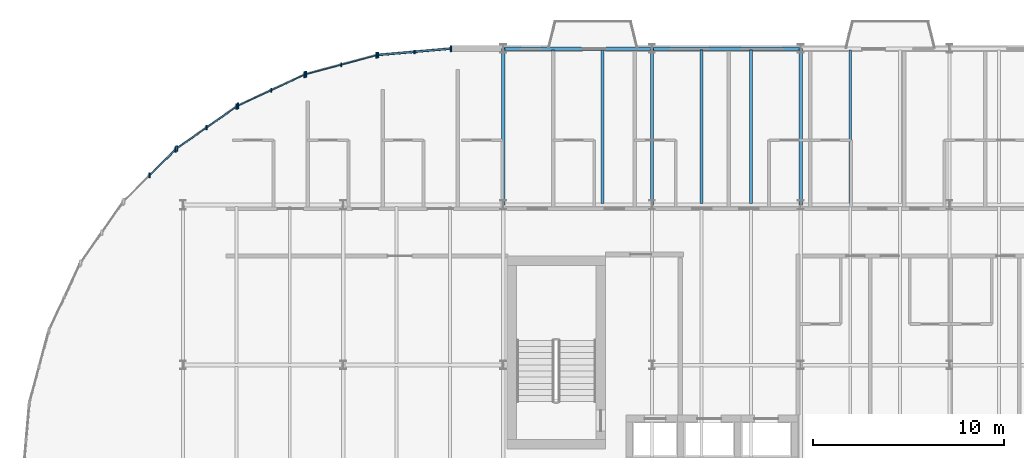
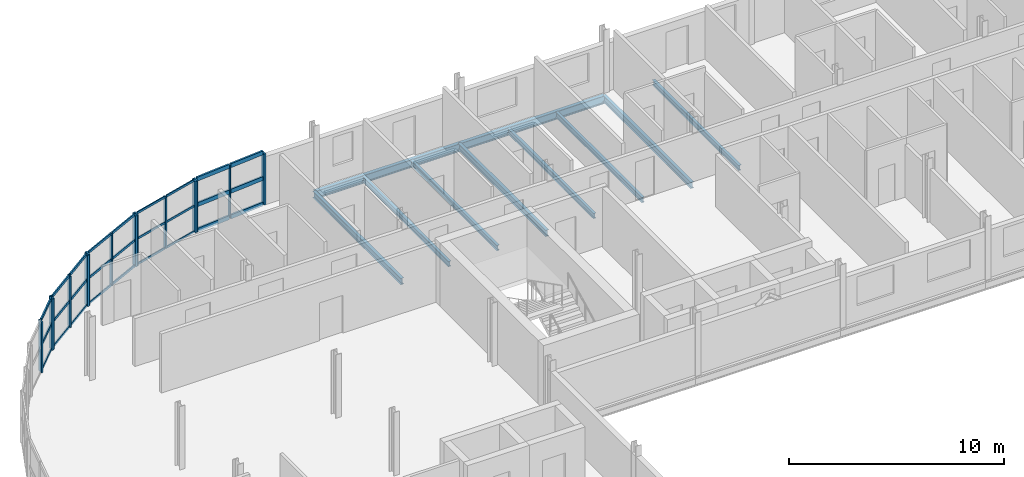
# One storey, part 10 of 34: 41 members, 10 beams, 5 elements without a shape of their own.
"""IFC4 building model written with IfcOpenShell, lengths in metres."""

import ifcopenshell
import ifcopenshell.guid

model = None  # the IFC model being written
_history = None  # IfcOwnerHistory: only IFC2X3 demands one
_inside = {}  # id of a spatial element -> (the spatial element, [elements in it])
_under = {}  # id of a project, library or spatial element -> (it, [spatial elements below it])
_declared = {}  # id of a project -> (the project, [libraries it declares])
_typed = {}  # id of a type object -> (the type object, [elements of that type])
_made_of = {}  # id of a material, layer set ... -> (it, [elements and type objects made of it])


def new_model(schema):
    """Start an empty IFC model of exactly this schema.

    Asked for "IFC4X3", IfcOpenShell would pick the latest addendum, in which some entities
    have other attributes; the version numbers below select the first issue.
    IFC2X3 requires an IfcOwnerHistory on every rooted entity: one is made here for all.
    """
    global model, _history
    if schema == "IFC4X3":
        model = ifcopenshell.file(schema_version=(4, 3, 0, 0))
    else:
        model = ifcopenshell.file(schema=schema)
    _inside.clear()
    _under.clear()
    _declared.clear()
    _typed.clear()
    _made_of.clear()
    _history = None
    if model.schema == "IFC2X3":
        org = make("IfcOrganization", Name="unknown")
        user = make(
            "IfcPersonAndOrganization",
            ThePerson=make("IfcPerson", FamilyName="unknown"),
            TheOrganization=org,
        )
        app = make(
            "IfcApplication",
            ApplicationDeveloper=org,
            Version="unknown",
            ApplicationFullName="unknown",
            ApplicationIdentifier="unknown",
        )
        _history = make(
            "IfcOwnerHistory",
            OwningUser=user,
            OwningApplication=app,
            ChangeAction="ADDED",
            CreationDate=0,
        )
    return model


def make(cls, **values):
    """One entity of the class cls with the attributes given. An attribute that is None is left unset."""
    return model.create_entity(
        cls, **{name: value for name, value in values.items() if value is not None}
    )


def rooted(cls, **values):
    """An entity with a GlobalId (a new one), such as an element, a storey or a relation."""
    return make(cls, GlobalId=ifcopenshell.guid.new(), OwnerHistory=_history, **values)


def si_unit(unit_type, name, prefix=None):
    """IfcSIUnit, for example si_unit("LENGTHUNIT", "METRE", prefix="MILLI")."""
    return make("IfcSIUnit", UnitType=unit_type, Prefix=prefix, Name=name)


def assignment(units):
    """IfcUnitAssignment: the units of a project."""
    return None if units is None else make("IfcUnitAssignment", Units=units)


def point(xyz):
    """IfcCartesianPoint."""
    return None if xyz is None else make("IfcCartesianPoint", Coordinates=xyz)


def direction(xyz):
    """IfcDirection."""
    return None if xyz is None else make("IfcDirection", DirectionRatios=xyz)


def frame(location, z_axis=None, x_axis=None):
    """IfcAxis2Placement3D, a coordinate frame: its origin and axes. An axis left out is left unset."""
    return make(
        "IfcAxis2Placement3D",
        Location=point(location),
        Axis=direction(z_axis),
        RefDirection=direction(x_axis),
    )


def frame_2d(location, x_axis=None):
    """IfcAxis2Placement2D, a coordinate frame in the plane: its origin and x axis."""
    return make(
        "IfcAxis2Placement2D", Location=point(location), RefDirection=direction(x_axis)
    )


def origin():
    """The frame at (0, 0, 0) with its axes left unset."""
    return frame((0.0, 0.0, 0.0))


def origin_2d():
    """The frame at (0, 0) in the plane with its x axis left unset."""
    return frame_2d((0.0, 0.0))


def place(relative_to, where):
    """IfcLocalPlacement: puts the frame where relative to a parent placement (None: the world)."""
    return make(
        "IfcLocalPlacement", PlacementRelTo=relative_to, RelativePlacement=where
    )


def context(
    kind, dimensions, precision=None, world=None, true_north=None, identifier=None
):
    """IfcGeometricRepresentationContext, for example the 3D "Model" context."""
    return make(
        "IfcGeometricRepresentationContext",
        ContextIdentifier=identifier,
        ContextType=kind,
        CoordinateSpaceDimension=dimensions,
        Precision=precision,
        WorldCoordinateSystem=world,
        TrueNorth=true_north,
    )


def subcontext(parent, identifier, kind, view, scale=None):
    """IfcGeometricRepresentationSubContext, for example "Body" below "Model"."""
    return make(
        "IfcGeometricRepresentationSubContext",
        ContextIdentifier=identifier,
        ContextType=kind,
        ParentContext=parent,
        TargetScale=scale,
        TargetView=view,
    )


def project(units=None, contexts=None):
    """IfcProject with its units and contexts."""
    return rooted(
        "IfcProject",
        Name="project",
        RepresentationContexts=contexts,
        UnitsInContext=assignment(units),
    )


def spatial(cls, under=None, at=None, **own):
    """A site, building, storey or space (cls), placed at a placement, below another one or the project."""
    s = rooted(cls, ObjectPlacement=at, **own)
    if under is not None:
        _under.setdefault(under.id(), (under, []))[1].append(s)
    return s


def profile(cls, at=None, kind="AREA", **sizes):
    """A parametric profile (cls). Its sizes go by their IFC names, for example OverallWidth=200.0."""
    return make(cls, ProfileType=kind, Position=at, **sizes)


def rectangle(**sizes):
    """IfcRectangleProfileDef."""
    return profile("IfcRectangleProfileDef", **sizes)


def i_section(**sizes):
    """IfcIShapeProfileDef."""
    return profile("IfcIShapeProfileDef", **sizes)


def extrude(swept, where, along, depth):
    """IfcExtrudedAreaSolid: the profile swept, set in the frame where, extruded along a direction by depth."""
    return make(
        "IfcExtrudedAreaSolid",
        SweptArea=swept,
        Position=where,
        ExtrudedDirection=direction(along),
        Depth=depth,
    )


def shape(context_of_items, identifier, shape_type, items):
    """IfcShapeRepresentation: the items that make up one representation, for example the "Body"."""
    return make(
        "IfcShapeRepresentation",
        ContextOfItems=context_of_items,
        RepresentationIdentifier=identifier,
        RepresentationType=shape_type,
        Items=items,
    )


def material(Name=None, Category=None):
    """IfcMaterial."""
    return make("IfcMaterial", Name=Name, Category=Category)


def layer(
    of_material, thickness, ventilated=None, Name=None, Category=None, Priority=None
):
    """IfcMaterialLayer: one layer of a wall or slab, of a material (None: an air gap)."""
    return make(
        "IfcMaterialLayer",
        Material=of_material,
        LayerThickness=thickness,
        IsVentilated=ventilated,
        Name=Name,
        Category=Category,
        Priority=Priority,
    )


def layer_set(layers, Name=None):
    """IfcMaterialLayerSet."""
    return make("IfcMaterialLayerSet", MaterialLayers=layers, LayerSetName=Name)


def material_profile(
    of_material, cross_section, Name=None, Category=None, Priority=None
):
    """IfcMaterialProfile: a cross section and its material."""
    return make(
        "IfcMaterialProfile",
        Name=Name,
        Material=of_material,
        Profile=cross_section,
        Priority=Priority,
        Category=Category,
    )


def profile_set(profiles, Name=None, composite=None):
    """IfcMaterialProfileSet."""
    return make(
        "IfcMaterialProfileSet",
        Name=Name,
        MaterialProfiles=profiles,
        CompositeProfile=composite,
    )


def made_of(thing, what):
    """Note that an element or type object is made of a material, layer set ...; save() writes the relation."""
    if what is not None:
        _made_of.setdefault(what.id(), (what, []))[1].append(thing)
    return thing


def type_object(cls, material=None, **own):
    """A type object (cls), such as IfcWallType, which elements share."""
    return made_of(rooted(cls, **own), material)


def element(
    cls,
    number,
    at=None,
    inside=None,
    cuts=None,
    type_object=None,
    material=None,
    context=None,
    identifier="Body",
    shape_type=None,
    held_by="IfcProductDefinitionShape",
    body=None,
    shapes=None,
    **own,
):
    """One element of the class cls, such as IfcWall. Its Tag is "e" and its number.

    at: its placement. inside: the storey or other place that contains it. cuts: it is an
    opening in that element (IfcRelVoidsElement). A single representation is given by context,
    identifier, shape_type and body (its items); several are given by shapes. held_by: the class
    of the entity that holds the representations. save() writes the other relations.
    """
    e = rooted(cls, Tag="e%d" % number, ObjectPlacement=at, **own)
    if body is not None:
        shapes = [shape(context, identifier, shape_type, body)]
    if shapes is not None:
        e.Representation = make(held_by, Representations=shapes)
    if inside is not None:
        _inside.setdefault(inside.id(), (inside, []))[1].append(e)
    if cuts is not None:
        rooted(
            "IfcRelVoidsElement", RelatingBuildingElement=cuts, RelatedOpeningElement=e
        )
    if type_object is not None:
        _typed.setdefault(type_object.id(), (type_object, []))[1].append(e)
    return made_of(e, material)


def aggregate(whole, parts):
    """IfcRelAggregates: a whole, such as a stair, and the parts it consists of."""
    return rooted("IfcRelAggregates", RelatingObject=whole, RelatedObjects=parts)


def save(model, path):
    """Write the relations noted so far, then the file.

    IfcRelAggregates (storeys below a building ...), IfcRelContainedInSpatialStructure (elements
    in a storey), IfcRelDefinesByType, IfcRelAssociatesMaterial and IfcRelDeclares: one each for
    every whole, place, type object, material and project.
    """
    for whole, parts in _under.values():
        aggregate(whole, parts)
    for where, things in _inside.values():
        rooted(
            "IfcRelContainedInSpatialStructure",
            RelatedElements=things,
            RelatingStructure=where,
        )
    for kind, things in _typed.values():
        rooted("IfcRelDefinesByType", RelatedObjects=things, RelatingType=kind)
    for what, things in _made_of.values():
        rooted("IfcRelAssociatesMaterial", RelatedObjects=things, RelatingMaterial=what)
    for by, libraries in _declared.values():
        rooted("IfcRelDeclares", RelatingContext=by, RelatedDefinitions=libraries)
    model.write(path)


model = new_model("IFC4")

# Units and contexts
model_context = context("Model", 3, precision=1e-05, world=origin(), true_north=direction((0.0, 1.0)))
body_context = subcontext(model_context, "Body", "Model", "MODEL_VIEW")
ifc_project = project(units=[si_unit("LENGTHUNIT", "METRE"), si_unit("AREAUNIT", "SQUARE_METRE"), si_unit("VOLUMEUNIT", "CUBIC_METRE"), si_unit("PLANEANGLEUNIT", "RADIAN"), si_unit("MASSUNIT", "GRAM", prefix="KILO")], contexts=[model_context])

# Site, building, storey
site_placement = place(None, origin())
site = spatial("IfcSite", under=ifc_project, at=site_placement, CompositionType="ELEMENT")
building_placement = place(site_placement, origin())
building = spatial("IfcBuilding", under=site, at=building_placement, Name="Sefraquen Railside Congress Hotel", CompositionType="ELEMENT")
storey_placement = place(building_placement, frame((0.0, 0.0, 31.800048828125)))
storey = spatial("IfcBuildingStorey", under=building, at=storey_placement, Name="L07", CompositionType="ELEMENT", Elevation=31.800048828125)

# Beams
ifc_material_1 = material(Name="Steel S355JR", Category="steel")
ifc_material_profile_1 = material_profile(ifc_material_1, i_section(OverallWidth=0.169921875, OverallDepth=0.360107421875, WebThickness=0.008056640625, FlangeThickness=0.0126953125, FilletRadius=0.01806640625, at=origin_2d()), Name="IPE 360")
ifc_profile_set_1 = profile_set([ifc_material_profile_1], Name="Steel S355JR")
beam_type_1 = type_object("IfcBeamType", Name="TB-BM-360", PredefinedType="BEAM", material=ifc_profile_set_1)
for number, where, z_axis, x_axis, name in (
    (1, (25.199951171875, 109.800048828125, -0.420166015625), (0.0, 1.0, 0.0), (-1.0, 0.0, 0.0), "Floor beam BM-L07-1791"),
    (2, (33.0, 109.800048828125, -0.420166015625), (0.0, 1.0, 0.0), (-1.0, 0.0, 0.0), "Floor beam BM-L07-1794"),
    (3, (40.800048828125, 109.800048828125, -0.420166015625), (0.0, 1.0, 0.0), (-1.0, 0.0, 0.0), "Floor beam BM-L07-1797"),
):
    element("IfcBeam", number, at=place(storey_placement, frame(where, z_axis=z_axis, x_axis=x_axis)), inside=storey, type_object=beam_type_1, Name=name, PredefinedType="BEAM", context=body_context, shape_type="SweptSolid", body=[
        extrude(i_section(OverallWidth=0.169921875, OverallDepth=0.360107421875, WebThickness=0.008056640625, FlangeThickness=0.0126953125, FilletRadius=0.01806640625, at=origin_2d()), origin(), (0.0, 0.0, 1.0), 8.199951171875),
    ])
ifc_material_profile_2 = material_profile(ifc_material_1, i_section(OverallWidth=0.18994140625, OverallDepth=0.449951171875, WebThickness=0.009521484375, FlangeThickness=0.0146484375, FilletRadius=0.02099609375, at=origin_2d()), Name="IPE 450")
ifc_profile_set_2 = profile_set([ifc_material_profile_2], Name="Steel S355JR")
beam_type_2 = type_object("IfcBeamType", Name="TB-BM-450", PredefinedType="BEAM", material=ifc_profile_set_2)
for number, where, z_axis, x_axis, name in (
    (4, (25.199951171875, 118.0, -0.465087890625), (1.0, 0.0, 0.0), (0.0, 1.0, 0.0), "Primary girder BM-L07-1758"),
    (5, (33.0, 118.0, -0.465087890625), (1.0, 0.0, 0.0), (0.0, 1.0, 0.0), "Primary girder BM-L07-1759"),
):
    element("IfcBeam", number, at=place(storey_placement, frame(where, z_axis=z_axis, x_axis=x_axis)), inside=storey, type_object=beam_type_2, Name=name, PredefinedType="BEAM", context=body_context, shape_type="SweptSolid", body=[
        extrude(i_section(OverallWidth=0.18994140625, OverallDepth=0.449951171875, WebThickness=0.009521484375, FlangeThickness=0.0146484375, FilletRadius=0.02099609375, at=origin_2d()), origin(), (0.0, 0.0, 1.0), 7.800048828125),
    ])
ifc_material_profile_3 = material_profile(ifc_material_1, i_section(OverallWidth=0.14990234375, OverallDepth=0.300048828125, WebThickness=0.007080078125, FlangeThickness=0.0107421875, FilletRadius=0.014892578125, at=origin_2d()), Name="IPE 300")
ifc_profile_set_3 = profile_set([ifc_material_profile_3], Name="Steel S355JR")
beam_type_3 = type_object("IfcBeamType", Name="TB-JST-300", PredefinedType="JOIST", material=ifc_profile_set_3)
for number, where, z_axis, x_axis, name in (
    (6, (27.800048828125, 109.875, -0.39013671875), (0.0, 1.0, 0.0), (-1.0, 0.0, 0.0), "Composite floor joist BM-L07-J1170"),
    (7, (30.39990234375, 109.875, -0.39013671875), (0.0, 1.0, 0.0), (-1.0, 0.0, 0.0), "Composite floor joist BM-L07-J1171"),
    (8, (35.60009765625, 109.875, -0.39013671875), (0.0, 1.0, 0.0), (-1.0, 0.0, 0.0), "Composite floor joist BM-L07-J1176"),
    (9, (38.199951171875, 109.875, -0.39013671875), (0.0, 1.0, 0.0), (-1.0, 0.0, 0.0), "Composite floor joist BM-L07-J1177"),
    (10, (43.39990234375, 109.875, -0.39013671875), (0.0, 1.0, 0.0), (-1.0, 0.0, 0.0), "Composite floor joist BM-L07-J1182"),
):
    element("IfcBeam", number, at=place(storey_placement, frame(where, z_axis=z_axis, x_axis=x_axis)), inside=storey, type_object=beam_type_3, Name=name, PredefinedType="JOIST", context=body_context, shape_type="SweptSolid", body=[
        extrude(i_section(OverallWidth=0.14990234375, OverallDepth=0.300048828125, WebThickness=0.007080078125, FlangeThickness=0.0107421875, FilletRadius=0.014892578125, at=origin_2d()), origin(), (0.0, 0.0, 1.0), 8.050048828125),
    ])

# Curtain wall, member
ifc_material_2 = material(Name="Thermally broken anodised aluminium and low-E double glazing", Category="aluminium")
ifc_layer_1 = layer(ifc_material_2, 0.199951171875)
ifc_layer_set_1 = layer_set([ifc_layer_1], Name="Thermally broken anodised aluminium and low-E double glazing")
curtain_wall_type_1 = type_object("IfcCurtainWallType", Name="TCW-UCW-32", PredefinedType="USERDEFINED", material=ifc_layer_set_1)
curtain_wall_1_placement = place(storey_placement, origin())
curtain_wall_1 = element("IfcCurtainWall", 11, at=curtain_wall_1_placement, inside=storey, type_object=curtain_wall_type_1, Name="Rotunda L07 curved curtain wall facet 1", ObjectType="UNITISED CURTAIN WALL", PredefinedType="USERDEFINED")
ifc_material_3 = material(Name="Thermally broken anodised aluminium 6063-T6", Category="aluminium")
ifc_material_profile_4 = material_profile(ifc_material_3, rectangle(XDim=0.06494140625, YDim=0.179931640625, at=origin_2d()), Name="CWM 65x180")
ifc_profile_set_4 = profile_set([ifc_material_profile_4], Name="Thermally broken anodised aluminium 6063-T6")
member_type_1 = type_object("IfcMemberType", Name="TM-CWM-02", PredefinedType="MULLION", material=ifc_profile_set_4)
member_1_placement = place(storey_placement, frame((20.54638671875, 117.8291015625, 0.0), z_axis=(0.0, 0.0, 1.0), x_axis=(1.0, 0.0, 0.0)))
member_1 = element("IfcMember", 12, at=member_1_placement, type_object=member_type_1, Name="CW-L07-ROT-01 mullion 2", PredefinedType="MULLION", context=body_context, shape_type="SweptSolid", body=[
    extrude(rectangle(XDim=0.06494140625, YDim=0.179931640625, at=origin_2d()), origin(), (0.0, 0.0, 1.0), 2.909912109375),
])

ifc_layer_2 = layer(ifc_material_2, 0.199951171875)
ifc_layer_set_2 = layer_set([ifc_layer_2], Name="Thermally broken anodised aluminium and low-E double glazing")
curtain_wall_type_2 = type_object("IfcCurtainWallType", Name="TCW-UCW-01", PredefinedType="USERDEFINED", material=ifc_layer_set_2)
curtain_wall_2_placement = place(storey_placement, origin())
curtain_wall_2 = element("IfcCurtainWall", 13, at=curtain_wall_2_placement, inside=storey, type_object=curtain_wall_type_2, Name="Rotunda L07 curved curtain wall facet 2", ObjectType="UNITISED CURTAIN WALL", PredefinedType="USERDEFINED")
ifc_material_profile_5 = material_profile(ifc_material_3, rectangle(XDim=0.070068359375, YDim=0.199951171875, at=origin_2d()), Name="CWM 70x200")
ifc_profile_set_5 = profile_set([ifc_material_profile_5], Name="Thermally broken anodised aluminium 6063-T6")
member_type_2 = type_object("IfcMemberType", Name="TM-CWM-03", PredefinedType="MULLION", material=ifc_profile_set_5)
member_2_placement = place(storey_placement, frame((16.69873046875, 117.150634765625, 0.0), z_axis=(0.0, 0.0, 1.0), x_axis=(1.0, 0.0, 0.0)))
member_2 = element("IfcMember", 14, at=member_2_placement, type_object=member_type_2, Name="CW-L07-ROT-02 mullion 2", PredefinedType="MULLION", context=body_context, shape_type="SweptSolid", body=[
    extrude(rectangle(XDim=0.070068359375, YDim=0.199951171875, at=origin_2d()), origin(), (0.0, 0.0, 1.0), 2.909912109375),
])

ifc_layer_3 = layer(ifc_material_2, 0.199951171875)
ifc_layer_set_3 = layer_set([ifc_layer_3], Name="Thermally broken anodised aluminium and low-E double glazing")
curtain_wall_type_3 = type_object("IfcCurtainWallType", Name="TCW-UCW-02", PredefinedType="USERDEFINED", material=ifc_layer_set_3)
curtain_wall_3_placement = place(storey_placement, origin())
curtain_wall_3 = element("IfcCurtainWall", 15, at=curtain_wall_3_placement, inside=storey, type_object=curtain_wall_type_3, Name="Rotunda L07 curved curtain wall facet 3", ObjectType="UNITISED CURTAIN WALL", PredefinedType="USERDEFINED")
ifc_material_profile_6 = material_profile(ifc_material_3, rectangle(XDim=0.074951171875, YDim=0.219970703125, at=origin_2d()), Name="CWM 75x220")
ifc_profile_set_6 = profile_set([ifc_material_profile_6], Name="Thermally broken anodised aluminium 6063-T6")
member_type_3 = type_object("IfcMemberType", Name="TM-CWM-04", PredefinedType="MULLION", material=ifc_profile_set_6)
member_3_placement = place(storey_placement, frame((13.02734375, 115.814208984375, 0.0), z_axis=(0.0, 0.0, 1.0), x_axis=(1.0, 0.0, 0.0)))
member_3 = element("IfcMember", 16, at=member_3_placement, type_object=member_type_3, Name="CW-L07-ROT-03 mullion 2", PredefinedType="MULLION", context=body_context, shape_type="SweptSolid", body=[
    extrude(rectangle(XDim=0.074951171875, YDim=0.219970703125, at=origin_2d()), origin(), (0.0, 0.0, 1.0), 2.909912109375),
])

ifc_layer_4 = layer(ifc_material_2, 0.199951171875)
ifc_layer_set_4 = layer_set([ifc_layer_4], Name="Thermally broken anodised aluminium and low-E double glazing")
curtain_wall_type_4 = type_object("IfcCurtainWallType", Name="TCW-UCW-03", PredefinedType="USERDEFINED", material=ifc_layer_set_4)
curtain_wall_4_placement = place(storey_placement, origin())
curtain_wall_4 = element("IfcCurtainWall", 17, at=curtain_wall_4_placement, inside=storey, type_object=curtain_wall_type_4, Name="Rotunda L07 curved curtain wall facet 4", ObjectType="UNITISED CURTAIN WALL", PredefinedType="USERDEFINED")
ifc_material_profile_7 = material_profile(ifc_material_3, rectangle(XDim=0.080078125, YDim=0.239990234375, at=origin_2d()), Name="CWM 80x240")
ifc_profile_set_7 = profile_set([ifc_material_profile_7], Name="Thermally broken anodised aluminium 6063-T6")
member_type_4 = type_object("IfcMemberType", Name="TM-CWM-05", PredefinedType="MULLION", material=ifc_profile_set_7)
member_4_placement = place(storey_placement, frame((9.643798828125, 113.86083984375, 0.0), z_axis=(0.0, 0.0, 1.0), x_axis=(1.0, 0.0, 0.0)))
member_4 = element("IfcMember", 18, at=member_4_placement, type_object=member_type_4, Name="CW-L07-ROT-04 mullion 2", PredefinedType="MULLION", context=body_context, shape_type="SweptSolid", body=[
    extrude(rectangle(XDim=0.080078125, YDim=0.239990234375, at=origin_2d()), origin(), (0.0, 0.0, 1.0), 2.909912109375),
])

ifc_layer_5 = layer(ifc_material_2, 0.199951171875)
ifc_layer_set_5 = layer_set([ifc_layer_5], Name="Thermally broken anodised aluminium and low-E double glazing")
curtain_wall_type_5 = type_object("IfcCurtainWallType", Name="TCW-UCW-04", PredefinedType="USERDEFINED", material=ifc_layer_set_5)
curtain_wall_5_placement = place(storey_placement, origin())
curtain_wall_5 = element("IfcCurtainWall", 19, at=curtain_wall_5_placement, inside=storey, type_object=curtain_wall_type_5, Name="Rotunda L07 curved curtain wall facet 5", ObjectType="UNITISED CURTAIN WALL", PredefinedType="USERDEFINED")
ifc_material_profile_8 = material_profile(ifc_material_3, rectangle(XDim=0.0849609375, YDim=0.260009765625, at=origin_2d()), Name="CWM 85x260")
ifc_profile_set_8 = profile_set([ifc_material_profile_8], Name="Thermally broken anodised aluminium 6063-T6")
member_type_5 = type_object("IfcMemberType", Name="TM-CWM-06", PredefinedType="MULLION", material=ifc_profile_set_8)
member_5_placement = place(storey_placement, frame((6.650634765625, 111.349365234375, 0.0), z_axis=(0.0, 0.0, 1.0), x_axis=(1.0, 0.0, 0.0)))
member_5 = element("IfcMember", 20, at=member_5_placement, type_object=member_type_5, Name="CW-L07-ROT-05 mullion 2", PredefinedType="MULLION", context=body_context, shape_type="SweptSolid", body=[
    extrude(rectangle(XDim=0.0849609375, YDim=0.260009765625, at=origin_2d()), origin(), (0.0, 0.0, 1.0), 2.909912109375),
])

# Member
ifc_material_profile_9 = material_profile(ifc_material_3, rectangle(XDim=0.094970703125, YDim=0.300048828125, at=origin_2d()), Name="CWM 95x300")
ifc_profile_set_9 = profile_set([ifc_material_profile_9], Name="Thermally broken anodised aluminium 6063-T6")
member_type_6 = type_object("IfcMemberType", Name="TM-CWM-08", PredefinedType="MULLION", material=ifc_profile_set_9)
member_6_placement = place(storey_placement, frame((22.460205078125, 117.99658203125, 0.0), z_axis=(0.0, 0.0, 1.0), x_axis=(1.0, 0.0, 0.0)))
member_6 = element("IfcMember", 21, at=member_6_placement, type_object=member_type_6, Name="CW-L07-ROT-01 mullion 1", PredefinedType="MULLION", context=body_context, shape_type="SweptSolid", body=[
    extrude(rectangle(XDim=0.094970703125, YDim=0.300048828125, at=origin_2d()), origin(), (0.0, 0.0, 1.0), 2.909912109375),
])

member_7_placement = place(storey_placement, frame((18.6328125, 117.66162109375, 0.0), z_axis=(0.0, 0.0, 1.0), x_axis=(1.0, 0.0, 0.0)))
member_7 = element("IfcMember", 22, at=member_7_placement, type_object=member_type_6, Name="CW-L07-ROT-01 mullion 3", PredefinedType="MULLION", context=body_context, shape_type="SweptSolid", body=[
    extrude(rectangle(XDim=0.094970703125, YDim=0.300048828125, at=origin_2d()), origin(), (0.0, 0.0, 1.0), 2.909912109375),
])

member_8_placement = place(storey_placement, frame((18.55419921875, 117.647705078125, 0.0), z_axis=(0.0, 0.0, 1.0), x_axis=(1.0, 0.0, 0.0)))
member_8 = element("IfcMember", 23, at=member_8_placement, type_object=member_type_6, Name="CW-L07-ROT-02 mullion 1", PredefinedType="MULLION", context=body_context, shape_type="SweptSolid", body=[
    extrude(rectangle(XDim=0.094970703125, YDim=0.300048828125, at=origin_2d()), origin(), (0.0, 0.0, 1.0), 2.909912109375),
])

member_9_placement = place(storey_placement, frame((14.843017578125, 116.653564453125, 0.0), z_axis=(0.0, 0.0, 1.0), x_axis=(1.0, 0.0, 0.0)))
member_9 = element("IfcMember", 24, at=member_9_placement, type_object=member_type_6, Name="CW-L07-ROT-02 mullion 3", PredefinedType="MULLION", context=body_context, shape_type="SweptSolid", body=[
    extrude(rectangle(XDim=0.094970703125, YDim=0.300048828125, at=origin_2d()), origin(), (0.0, 0.0, 1.0), 2.909912109375),
])

member_10_placement = place(storey_placement, frame((14.768310546875, 116.626220703125, 0.0), z_axis=(0.0, 0.0, 1.0), x_axis=(1.0, 0.0, 0.0)))
member_10 = element("IfcMember", 25, at=member_10_placement, type_object=member_type_6, Name="CW-L07-ROT-03 mullion 1", PredefinedType="MULLION", context=body_context, shape_type="SweptSolid", body=[
    extrude(rectangle(XDim=0.094970703125, YDim=0.300048828125, at=origin_2d()), origin(), (0.0, 0.0, 1.0), 2.909912109375),
])

member_11_placement = place(storey_placement, frame((11.286376953125, 115.00244140625, 0.0), z_axis=(0.0, 0.0, 1.0), x_axis=(1.0, 0.0, 0.0)))
member_11 = element("IfcMember", 26, at=member_11_placement, type_object=member_type_6, Name="CW-L07-ROT-03 mullion 3", PredefinedType="MULLION", context=body_context, shape_type="SweptSolid", body=[
    extrude(rectangle(XDim=0.094970703125, YDim=0.300048828125, at=origin_2d()), origin(), (0.0, 0.0, 1.0), 2.909912109375),
])

member_12_placement = place(storey_placement, frame((11.21728515625, 114.962646484375, 0.0), z_axis=(0.0, 0.0, 1.0), x_axis=(1.0, 0.0, 0.0)))
member_12 = element("IfcMember", 27, at=member_12_placement, type_object=member_type_6, Name="CW-L07-ROT-04 mullion 1", PredefinedType="MULLION", context=body_context, shape_type="SweptSolid", body=[
    extrude(rectangle(XDim=0.094970703125, YDim=0.300048828125, at=origin_2d()), origin(), (0.0, 0.0, 1.0), 2.909912109375),
])

member_13_placement = place(storey_placement, frame((8.070068359375, 112.7587890625, 0.0), z_axis=(0.0, 0.0, 1.0), x_axis=(1.0, 0.0, 0.0)))
member_13 = element("IfcMember", 28, at=member_13_placement, type_object=member_type_6, Name="CW-L07-ROT-04 mullion 3", PredefinedType="MULLION", context=body_context, shape_type="SweptSolid", body=[
    extrude(rectangle(XDim=0.094970703125, YDim=0.300048828125, at=origin_2d()), origin(), (0.0, 0.0, 1.0), 2.909912109375),
])

member_14_placement = place(storey_placement, frame((8.009033203125, 112.707763671875, 0.0), z_axis=(0.0, 0.0, 1.0), x_axis=(1.0, 0.0, 0.0)))
member_14 = element("IfcMember", 29, at=member_14_placement, type_object=member_type_6, Name="CW-L07-ROT-05 mullion 1", PredefinedType="MULLION", context=body_context, shape_type="SweptSolid", body=[
    extrude(rectangle(XDim=0.094970703125, YDim=0.300048828125, at=origin_2d()), origin(), (0.0, 0.0, 1.0), 2.909912109375),
])

ifc_material_profile_10 = material_profile(ifc_material_3, rectangle(XDim=0.06005859375, YDim=0.1201171875, at=origin_2d()), Name="CWT 60x120")
ifc_profile_set_10 = profile_set([ifc_material_profile_10], Name="Thermally broken anodised aluminium 6063-T6")
member_type_7 = type_object("IfcMemberType", Name="TM-CWT-01", PredefinedType="USERDEFINED", material=ifc_profile_set_10)
member_15_placement = place(storey_placement, frame((18.5107421875, 117.63623046875, 0.0), z_axis=(-0.965893282759, -0.25894046868, 0.0), x_axis=(0.25894046868, -0.965893282759, 0.0)))
member_15 = element("IfcMember", 30, at=member_15_placement, type_object=member_type_7, Name="CW-L07-ROT-02 transom 1.1", ObjectType="TRANSOM", PredefinedType="USERDEFINED", context=body_context, shape_type="SweptSolid", body=[
    extrude(rectangle(XDim=0.06005859375, YDim=0.1201171875, at=origin_2d()), origin(), (0.0, 0.0, 1.0), 1.8310546875),
])

member_16_placement = place(storey_placement, frame((16.6552734375, 117.138916015625, 0.0), z_axis=(-0.965926624666, -0.258816065499, 0.0), x_axis=(0.258816065499, -0.965926624666, 0.0)))
member_16 = element("IfcMember", 31, at=member_16_placement, type_object=member_type_7, Name="CW-L07-ROT-02 transom 1.2", ObjectType="TRANSOM", PredefinedType="USERDEFINED", context=body_context, shape_type="SweptSolid", body=[
    extrude(rectangle(XDim=0.06005859375, YDim=0.1201171875, at=origin_2d()), origin(), (0.0, 0.0, 1.0), 1.8310546875),
])

member_17_placement = place(storey_placement, frame((18.5107421875, 117.63623046875, 1.454833984375), z_axis=(-0.965893282759, -0.25894046868, 0.0), x_axis=(0.25894046868, -0.965893282759, 0.0)))
member_17 = element("IfcMember", 32, at=member_17_placement, type_object=member_type_7, Name="CW-L07-ROT-02 transom 2.1", ObjectType="TRANSOM", PredefinedType="USERDEFINED", context=body_context, shape_type="SweptSolid", body=[
    extrude(rectangle(XDim=0.06005859375, YDim=0.1201171875, at=origin_2d()), origin(), (0.0, 0.0, 1.0), 1.8310546875),
])

member_18_placement = place(storey_placement, frame((16.6552734375, 117.138916015625, 1.454833984375), z_axis=(-0.965926624666, -0.258816065499, 0.0), x_axis=(0.258816065499, -0.965926624666, 0.0)))
member_18 = element("IfcMember", 33, at=member_18_placement, type_object=member_type_7, Name="CW-L07-ROT-02 transom 2.2", ObjectType="TRANSOM", PredefinedType="USERDEFINED", context=body_context, shape_type="SweptSolid", body=[
    extrude(rectangle(XDim=0.06005859375, YDim=0.1201171875, at=origin_2d()), origin(), (0.0, 0.0, 1.0), 1.8310546875),
])

member_19_placement = place(storey_placement, frame((18.5107421875, 117.63623046875, 2.909912109375), z_axis=(-0.965893282759, -0.25894046868, 0.0), x_axis=(0.25894046868, -0.965893282759, 0.0)))
member_19 = element("IfcMember", 34, at=member_19_placement, type_object=member_type_7, Name="CW-L07-ROT-02 transom 3.1", ObjectType="TRANSOM", PredefinedType="USERDEFINED", context=body_context, shape_type="SweptSolid", body=[
    extrude(rectangle(XDim=0.06005859375, YDim=0.1201171875, at=origin_2d()), origin(), (0.0, 0.0, 1.0), 1.8310546875),
])

member_20_placement = place(storey_placement, frame((16.6552734375, 117.138916015625, 2.909912109375), z_axis=(-0.965926624666, -0.258816065499, 0.0), x_axis=(0.258816065499, -0.965926624666, 0.0)))
member_20 = element("IfcMember", 35, at=member_20_placement, type_object=member_type_7, Name="CW-L07-ROT-02 transom 3.2", ObjectType="TRANSOM", PredefinedType="USERDEFINED", context=body_context, shape_type="SweptSolid", body=[
    extrude(rectangle(XDim=0.06005859375, YDim=0.1201171875, at=origin_2d()), origin(), (0.0, 0.0, 1.0), 1.8310546875),
])

aggregate(curtain_wall_2, [member_8, member_2, member_9, member_15, member_16, member_17, member_18, member_19, member_20])

ifc_material_profile_11 = material_profile(ifc_material_3, rectangle(XDim=0.06494140625, YDim=0.135009765625, at=origin_2d()), Name="CWT 65x135")
ifc_profile_set_11 = profile_set([ifc_material_profile_11], Name="Thermally broken anodised aluminium 6063-T6")
member_type_8 = type_object("IfcMemberType", Name="TM-CWT-02", PredefinedType="USERDEFINED", material=ifc_profile_set_11)
member_21_placement = place(storey_placement, frame((14.727294921875, 116.607177734375, 0.0), z_axis=(-0.906309158253, -0.422615321145, 0.0), x_axis=(0.422615321145, -0.906309158253, 0.0)))
member_21 = element("IfcMember", 36, at=member_21_placement, type_object=member_type_8, Name="CW-L07-ROT-03 transom 1.1", ObjectType="TRANSOM", PredefinedType="USERDEFINED", context=body_context, shape_type="SweptSolid", body=[
    extrude(rectangle(XDim=0.06494140625, YDim=0.135009765625, at=origin_2d()), origin(), (0.0, 0.0, 1.0), 1.830810546875),
])

member_22_placement = place(storey_placement, frame((12.986572265625, 115.79541015625, 0.0), z_axis=(-0.906281900386, -0.422673771403, 0.0), x_axis=(0.422673771403, -0.906281900386, 0.0)))
member_22 = element("IfcMember", 37, at=member_22_placement, type_object=member_type_8, Name="CW-L07-ROT-03 transom 1.2", ObjectType="TRANSOM", PredefinedType="USERDEFINED", context=body_context, shape_type="SweptSolid", body=[
    extrude(rectangle(XDim=0.06494140625, YDim=0.135009765625, at=origin_2d()), origin(), (0.0, 0.0, 1.0), 1.8310546875),
])

member_23_placement = place(storey_placement, frame((14.727294921875, 116.607177734375, 1.454833984375), z_axis=(-0.906309158253, -0.422615321145, 0.0), x_axis=(0.422615321145, -0.906309158253, 0.0)))
member_23 = element("IfcMember", 38, at=member_23_placement, type_object=member_type_8, Name="CW-L07-ROT-03 transom 2.1", ObjectType="TRANSOM", PredefinedType="USERDEFINED", context=body_context, shape_type="SweptSolid", body=[
    extrude(rectangle(XDim=0.06494140625, YDim=0.135009765625, at=origin_2d()), origin(), (0.0, 0.0, 1.0), 1.830810546875),
])

member_24_placement = place(storey_placement, frame((12.986572265625, 115.79541015625, 1.454833984375), z_axis=(-0.906281900386, -0.422673771403, 0.0), x_axis=(0.422673771403, -0.906281900386, 0.0)))
member_24 = element("IfcMember", 39, at=member_24_placement, type_object=member_type_8, Name="CW-L07-ROT-03 transom 2.2", ObjectType="TRANSOM", PredefinedType="USERDEFINED", context=body_context, shape_type="SweptSolid", body=[
    extrude(rectangle(XDim=0.06494140625, YDim=0.135009765625, at=origin_2d()), origin(), (0.0, 0.0, 1.0), 1.8310546875),
])

member_25_placement = place(storey_placement, frame((14.727294921875, 116.607177734375, 2.909912109375), z_axis=(-0.906309158253, -0.422615321145, 0.0), x_axis=(0.422615321145, -0.906309158253, 0.0)))
member_25 = element("IfcMember", 40, at=member_25_placement, type_object=member_type_8, Name="CW-L07-ROT-03 transom 3.1", ObjectType="TRANSOM", PredefinedType="USERDEFINED", context=body_context, shape_type="SweptSolid", body=[
    extrude(rectangle(XDim=0.06494140625, YDim=0.135009765625, at=origin_2d()), origin(), (0.0, 0.0, 1.0), 1.830810546875),
])

member_26_placement = place(storey_placement, frame((12.986572265625, 115.79541015625, 2.909912109375), z_axis=(-0.906281900386, -0.422673771403, 0.0), x_axis=(0.422673771403, -0.906281900386, 0.0)))
member_26 = element("IfcMember", 41, at=member_26_placement, type_object=member_type_8, Name="CW-L07-ROT-03 transom 3.2", ObjectType="TRANSOM", PredefinedType="USERDEFINED", context=body_context, shape_type="SweptSolid", body=[
    extrude(rectangle(XDim=0.06494140625, YDim=0.135009765625, at=origin_2d()), origin(), (0.0, 0.0, 1.0), 1.8310546875),
])

aggregate(curtain_wall_3, [member_10, member_3, member_11, member_21, member_22, member_23, member_24, member_25, member_26])

ifc_material_profile_12 = material_profile(ifc_material_3, rectangle(XDim=0.070068359375, YDim=0.14990234375, at=origin_2d()), Name="CWT 70x150")
ifc_profile_set_12 = profile_set([ifc_material_profile_12], Name="Thermally broken anodised aluminium 6063-T6")
member_type_9 = type_object("IfcMemberType", Name="TM-CWT-03", PredefinedType="USERDEFINED", material=ifc_profile_set_12)
member_27_placement = place(storey_placement, frame((11.180419921875, 114.93701171875, 0.0), z_axis=(-0.819156749665, -0.573569716318, 0.0), x_axis=(0.573569716318, -0.819156749665, 0.0)))
member_27 = element("IfcMember", 42, at=member_27_placement, type_object=member_type_9, Name="CW-L07-ROT-04 transom 1.1", ObjectType="TRANSOM", PredefinedType="USERDEFINED", context=body_context, shape_type="SweptSolid", body=[
    extrude(rectangle(XDim=0.070068359375, YDim=0.14990234375, at=origin_2d()), origin(), (0.0, 0.0, 1.0), 1.8310546875),
])

member_28_placement = place(storey_placement, frame((9.606689453125, 113.8349609375, 0.0), z_axis=(-0.819175533227, -0.573542889209, 0.0), x_axis=(0.573542889209, -0.819175533227, 0.0)))
member_28 = element("IfcMember", 43, at=member_28_placement, type_object=member_type_9, Name="CW-L07-ROT-04 transom 1.2", ObjectType="TRANSOM", PredefinedType="USERDEFINED", context=body_context, shape_type="SweptSolid", body=[
    extrude(rectangle(XDim=0.070068359375, YDim=0.14990234375, at=origin_2d()), origin(), (0.0, 0.0, 1.0), 1.830810546875),
])

member_29_placement = place(storey_placement, frame((11.180419921875, 114.93701171875, 1.454833984375), z_axis=(-0.819156749665, -0.573569716318, 0.0), x_axis=(0.573569716318, -0.819156749665, 0.0)))
member_29 = element("IfcMember", 44, at=member_29_placement, type_object=member_type_9, Name="CW-L07-ROT-04 transom 2.1", ObjectType="TRANSOM", PredefinedType="USERDEFINED", context=body_context, shape_type="SweptSolid", body=[
    extrude(rectangle(XDim=0.070068359375, YDim=0.14990234375, at=origin_2d()), origin(), (0.0, 0.0, 1.0), 1.8310546875),
])

member_30_placement = place(storey_placement, frame((9.606689453125, 113.8349609375, 1.454833984375), z_axis=(-0.819175533227, -0.573542889209, 0.0), x_axis=(0.573542889209, -0.819175533227, 0.0)))
member_30 = element("IfcMember", 45, at=member_30_placement, type_object=member_type_9, Name="CW-L07-ROT-04 transom 2.2", ObjectType="TRANSOM", PredefinedType="USERDEFINED", context=body_context, shape_type="SweptSolid", body=[
    extrude(rectangle(XDim=0.070068359375, YDim=0.14990234375, at=origin_2d()), origin(), (0.0, 0.0, 1.0), 1.830810546875),
])

member_31_placement = place(storey_placement, frame((11.180419921875, 114.93701171875, 2.909912109375), z_axis=(-0.819156749665, -0.573569716318, 0.0), x_axis=(0.573569716318, -0.819156749665, 0.0)))
member_31 = element("IfcMember", 46, at=member_31_placement, type_object=member_type_9, Name="CW-L07-ROT-04 transom 3.1", ObjectType="TRANSOM", PredefinedType="USERDEFINED", context=body_context, shape_type="SweptSolid", body=[
    extrude(rectangle(XDim=0.070068359375, YDim=0.14990234375, at=origin_2d()), origin(), (0.0, 0.0, 1.0), 1.8310546875),
])

member_32_placement = place(storey_placement, frame((9.606689453125, 113.8349609375, 2.909912109375), z_axis=(-0.819175533227, -0.573542889209, 0.0), x_axis=(0.573542889209, -0.819175533227, 0.0)))
member_32 = element("IfcMember", 47, at=member_32_placement, type_object=member_type_9, Name="CW-L07-ROT-04 transom 3.2", ObjectType="TRANSOM", PredefinedType="USERDEFINED", context=body_context, shape_type="SweptSolid", body=[
    extrude(rectangle(XDim=0.070068359375, YDim=0.14990234375, at=origin_2d()), origin(), (0.0, 0.0, 1.0), 1.830810546875),
])

aggregate(curtain_wall_4, [member_12, member_4, member_13, member_27, member_28, member_29, member_30, member_31, member_32])

ifc_material_profile_13 = material_profile(ifc_material_3, rectangle(XDim=0.074951171875, YDim=0.1650390625, at=origin_2d()), Name="CWT 75x165")
ifc_profile_set_13 = profile_set([ifc_material_profile_13], Name="Thermally broken anodised aluminium 6063-T6")
member_type_10 = type_object("IfcMemberType", Name="TM-CWT-04", PredefinedType="USERDEFINED", material=ifc_profile_set_13)
member_33_placement = place(storey_placement, frame((7.977294921875, 112.67578125, 0.0), z_axis=(-0.707106781187, -0.707106781187, 0.0), x_axis=(0.707106781187, -0.707106781187, 0.0)))
member_33 = element("IfcMember", 48, at=member_33_placement, type_object=member_type_10, Name="CW-L07-ROT-05 transom 1.1", ObjectType="TRANSOM", PredefinedType="USERDEFINED", context=body_context, shape_type="SweptSolid", body=[
    extrude(rectangle(XDim=0.074951171875, YDim=0.1650390625, at=origin_2d()), origin(), (0.0, 0.0, 1.0), 1.8310546875),
])

member_34_placement = place(storey_placement, frame((7.977294921875, 112.67578125, 1.454833984375), z_axis=(-0.707106781187, -0.707106781187, 0.0), x_axis=(0.707106781187, -0.707106781187, 0.0)))
member_34 = element("IfcMember", 49, at=member_34_placement, type_object=member_type_10, Name="CW-L07-ROT-05 transom 2.1", ObjectType="TRANSOM", PredefinedType="USERDEFINED", context=body_context, shape_type="SweptSolid", body=[
    extrude(rectangle(XDim=0.074951171875, YDim=0.1650390625, at=origin_2d()), origin(), (0.0, 0.0, 1.0), 1.8310546875),
])

member_35_placement = place(storey_placement, frame((7.977294921875, 112.67578125, 2.909912109375), z_axis=(-0.707106781187, -0.707106781187, 0.0), x_axis=(0.707106781187, -0.707106781187, 0.0)))
member_35 = element("IfcMember", 50, at=member_35_placement, type_object=member_type_10, Name="CW-L07-ROT-05 transom 3.1", ObjectType="TRANSOM", PredefinedType="USERDEFINED", context=body_context, shape_type="SweptSolid", body=[
    extrude(rectangle(XDim=0.074951171875, YDim=0.1650390625, at=origin_2d()), origin(), (0.0, 0.0, 1.0), 1.8310546875),
])

aggregate(curtain_wall_5, [member_14, member_5, member_33, member_34, member_35])

ifc_material_profile_14 = material_profile(ifc_material_3, rectangle(XDim=0.094970703125, YDim=0.22509765625, at=origin_2d()), Name="CWT 95x225")
ifc_profile_set_14 = profile_set([ifc_material_profile_14], Name="Thermally broken anodised aluminium 6063-T6")
member_type_11 = type_object("IfcMemberType", Name="TM-CWT-08", PredefinedType="USERDEFINED", material=ifc_profile_set_14)
member_36_placement = place(storey_placement, frame((22.415283203125, 117.99267578125, 0.0), z_axis=(-0.996190387898, -0.08720499447, 0.0), x_axis=(0.08720499447, -0.996190387898, 0.0)))
member_36 = element("IfcMember", 51, at=member_36_placement, type_object=member_type_11, Name="CW-L07-ROT-01 transom 1.1", ObjectType="TRANSOM", PredefinedType="USERDEFINED", context=body_context, shape_type="SweptSolid", body=[
    extrude(rectangle(XDim=0.094970703125, YDim=0.22509765625, at=origin_2d()), origin(), (0.0, 0.0, 1.0), 1.8310546875),
])

member_37_placement = place(storey_placement, frame((20.501708984375, 117.8251953125, 0.0), z_axis=(-0.996191401715, -0.087193412302, 0.0), x_axis=(0.087193412302, -0.996191401715, 0.0)))
member_37 = element("IfcMember", 52, at=member_37_placement, type_object=member_type_11, Name="CW-L07-ROT-01 transom 1.2", ObjectType="TRANSOM", PredefinedType="USERDEFINED", context=body_context, shape_type="SweptSolid", body=[
    extrude(rectangle(XDim=0.094970703125, YDim=0.22509765625, at=origin_2d()), origin(), (0.0, 0.0, 1.0), 1.831298828125),
])

member_38_placement = place(storey_placement, frame((22.415283203125, 117.99267578125, 1.454833984375), z_axis=(-0.996190387898, -0.08720499447, 0.0), x_axis=(0.08720499447, -0.996190387898, 0.0)))
member_38 = element("IfcMember", 53, at=member_38_placement, type_object=member_type_11, Name="CW-L07-ROT-01 transom 2.1", ObjectType="TRANSOM", PredefinedType="USERDEFINED", context=body_context, shape_type="SweptSolid", body=[
    extrude(rectangle(XDim=0.094970703125, YDim=0.22509765625, at=origin_2d()), origin(), (0.0, 0.0, 1.0), 1.8310546875),
])

member_39_placement = place(storey_placement, frame((20.501708984375, 117.8251953125, 1.454833984375), z_axis=(-0.996191401715, -0.087193412302, 0.0), x_axis=(0.087193412302, -0.996191401715, 0.0)))
member_39 = element("IfcMember", 54, at=member_39_placement, type_object=member_type_11, Name="CW-L07-ROT-01 transom 2.2", ObjectType="TRANSOM", PredefinedType="USERDEFINED", context=body_context, shape_type="SweptSolid", body=[
    extrude(rectangle(XDim=0.094970703125, YDim=0.22509765625, at=origin_2d()), origin(), (0.0, 0.0, 1.0), 1.831298828125),
])

member_40_placement = place(storey_placement, frame((22.415283203125, 117.99267578125, 2.909912109375), z_axis=(-0.996190387898, -0.08720499447, 0.0), x_axis=(0.08720499447, -0.996190387898, 0.0)))
member_40 = element("IfcMember", 55, at=member_40_placement, type_object=member_type_11, Name="CW-L07-ROT-01 transom 3.1", ObjectType="TRANSOM", PredefinedType="USERDEFINED", context=body_context, shape_type="SweptSolid", body=[
    extrude(rectangle(XDim=0.094970703125, YDim=0.22509765625, at=origin_2d()), origin(), (0.0, 0.0, 1.0), 1.8310546875),
])

member_41_placement = place(storey_placement, frame((20.501708984375, 117.8251953125, 2.909912109375), z_axis=(-0.996191401715, -0.087193412302, 0.0), x_axis=(0.087193412302, -0.996191401715, 0.0)))
member_41 = element("IfcMember", 56, at=member_41_placement, type_object=member_type_11, Name="CW-L07-ROT-01 transom 3.2", ObjectType="TRANSOM", PredefinedType="USERDEFINED", context=body_context, shape_type="SweptSolid", body=[
    extrude(rectangle(XDim=0.094970703125, YDim=0.22509765625, at=origin_2d()), origin(), (0.0, 0.0, 1.0), 1.831298828125),
])

aggregate(curtain_wall_1, [member_6, member_1, member_7, member_36, member_37, member_38, member_39, member_40, member_41])

save(model, "model.ifc")
